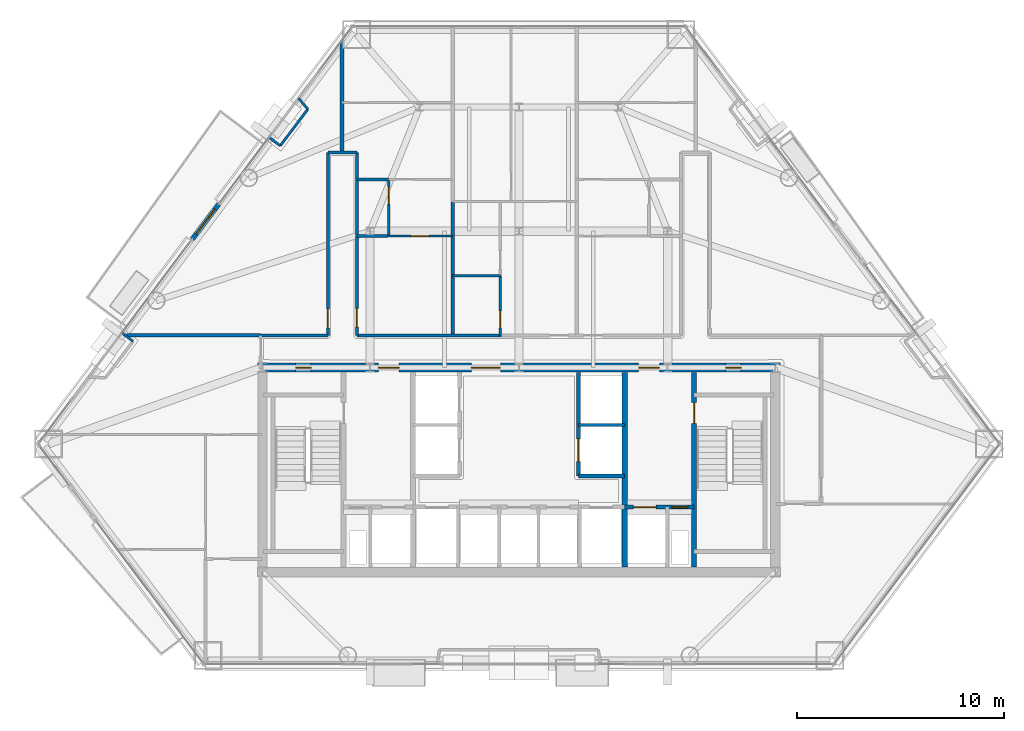
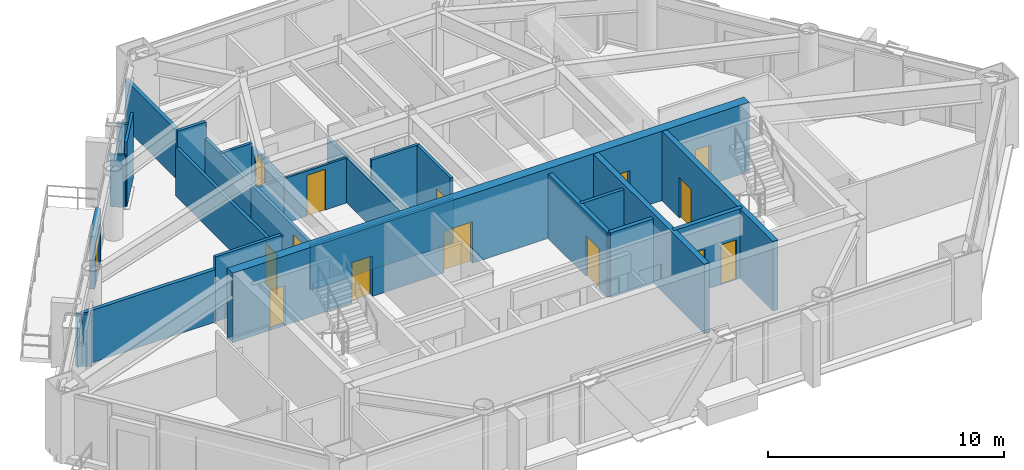
# One storey, part 7 of 11: 27 walls, 15 doors, 15 openings.
"""IFC4 building model written with IfcOpenShell, lengths in metres."""

from ifc_helpers import new_model, si_unit, direction, frame, frame_2d, origin, place, context, subcontext, project, spatial, rectangle, extrude, material, layer, layer_set, type_object, element, fill, save


model = new_model("IFC4")

# Units and contexts
model_context = context("Model", 3, precision=1e-05, world=origin(), true_north=direction((0.0, 1.0)))
body_context = subcontext(model_context, "Body", "Model", "MODEL_VIEW")
ifc_project = project(units=[si_unit("LENGTHUNIT", "METRE"), si_unit("AREAUNIT", "SQUARE_METRE"), si_unit("VOLUMEUNIT", "CUBIC_METRE"), si_unit("PLANEANGLEUNIT", "RADIAN"), si_unit("MASSUNIT", "GRAM", prefix="KILO")], contexts=[model_context])

# Site, building, storey
site_placement = place(None, origin())
site = spatial("IfcSite", under=ifc_project, at=site_placement, CompositionType="ELEMENT")
building_placement = place(site_placement, origin())
building = spatial("IfcBuilding", under=site, at=building_placement, Name="Talgorran Terracotta Tower", CompositionType="ELEMENT")
storey_placement = place(building_placement, frame((0.0, 0.0, 38.699951171875)))
storey = spatial("IfcBuildingStorey", under=building, at=storey_placement, Name="L09", CompositionType="ELEMENT", Elevation=38.699951171875)

# Wall, opening, door
ifc_material_1 = material(Name="Concrete C40/50", Category="concrete")
ifc_layer_1 = layer(ifc_material_1, 0.239990234375, Name="WT_BALCONY_SPAND")
ifc_layer_set_1 = layer_set([ifc_layer_1], Name="Concrete C40/50")
wall_type_1 = type_object("IfcWallType", Name="WT_BALCONY_SPAND", PredefinedType="STANDARD", material=ifc_layer_set_1)
wall_1_placement = place(storey_placement, frame((-14.518310546875, 3.71337890625, -0.014892578125), z_axis=(0.0, 0.0, 1.0), x_axis=(-0.601696267697, -0.79872498486, 0.0)))
wall_1 = element("IfcWall", 1, at=wall_1_placement, inside=storey, type_object=wall_type_1, Name="WL-L09-BALP-BAL-NW", PredefinedType="STANDARD", context=body_context, shape_type="SweptSolid", body=[
    extrude(rectangle(XDim=2.139892578125, YDim=0.239990234375, at=frame_2d((1.06982421875, 0.0))), origin(), (0.0, 0.0, 1.0), 2.728271484375),
])
opening_1_placement = place(wall_1_placement, frame((0.320068359375, 0.0, 0.014892578125)))
opening_1 = element("IfcOpeningElement", 2, at=opening_1_placement, cuts=wall_1, Name="Opening D-BAL-L09-2", PredefinedType="OPENING", context=body_context, shape_type="SweptSolid", body=[
    extrude(rectangle(XDim=1.506, YDim=2.203951171875, at=frame_2d((0.75, 1.10205078125))), frame((0.0, 0.1298828125, 0.0), z_axis=(0.0, -1.0, 0.0), x_axis=(1.0, 0.0, 0.0)), (0.0, 0.0, 1.0), 0.260009765625),
])
ifc_material_2 = material(Name="Thermally Broken Aluminium", Category="aluminium")
door_type_1 = type_object("IfcDoorType", Name="DT_BALC_1500", OperationType="SLIDING_TO_RIGHT", PredefinedType="DOOR", material=ifc_material_2)
door_1_placement = place(opening_1_placement, origin())
door_1 = element("IfcDoor", 3, at=door_1_placement, inside=storey, type_object=door_type_1, Name="DR-L09-BAL-BAL-NW", OperationType="SLIDING_TO_RIGHT", OverallHeight=2.199951171875, OverallWidth=1.5, PredefinedType="DOOR", context=body_context, shape_type="SweptSolid", body=[
    extrude(rectangle(XDim=1.5, YDim=2.199951171875, at=frame_2d((0.75, 1.10009765625))), frame((0.0, 0.02490234375, 0.0), z_axis=(0.0, -1.0, 0.0), x_axis=(1.0, 0.0, 0.0)), (0.0, 0.0, 1.0), 0.050048828125),
])
fill(opening_1, door_1)

# Wall, openings, doors
ifc_material_3 = material(Name="Concrete C50/60", Category="concrete")
ifc_layer_2 = layer(ifc_material_3, 0.199951171875, Name="WT_CORE_200")
ifc_layer_set_2 = layer_set([ifc_layer_2], Name="Concrete C50/60")
wall_type_2 = type_object("IfcWallType", Name="WT_CORE_200", PredefinedType="SOLIDWALL", material=ifc_layer_set_2)
wall_2_placement = place(storey_placement, frame((5.1201171875, -10.949951171875, 0.0), z_axis=(0.0, 0.0, 1.0), x_axis=(1.0, 0.0, 0.0)))
wall_2 = element("IfcWall", 4, at=wall_2_placement, inside=storey, type_object=wall_type_2, Name="WL-L09-CW-H-SBE", PredefinedType="SOLIDWALL", context=body_context, shape_type="SweptSolid", body=[
    extrude(rectangle(XDim=3.35986328125, YDim=0.199951171875, at=frame_2d((1.679931640625, 0.0))), origin(), (0.0, 0.0, 1.0), 3.60009765625),
])
opening_2_placement = place(wall_2_placement, frame((0.419921875, 0.0, 0.0)))
opening_2 = element("IfcOpeningElement", 5, at=opening_2_placement, cuts=wall_2, Name="Opening LD-FFL2", PredefinedType="OPENING", context=body_context, shape_type="SweptSolid", body=[
    extrude(rectangle(XDim=1.10609765625, YDim=2.10409765625, at=frame_2d((0.550048828125, 1.052001953125))), frame((0.0, 0.10986328125, 0.0), z_axis=(0.0, -1.0, 0.0), x_axis=(1.0, 0.0, 0.0)), (0.0, 0.0, 1.0), 0.219970703125),
])
opening_3_placement = place(wall_2_placement, frame((2.300048828125, 0.0, 0.0)))
opening_3 = element("IfcOpeningElement", 6, at=opening_3_placement, cuts=wall_2, Name="Opening DR-RSE", PredefinedType="OPENING", context=body_context, shape_type="SweptSolid", body=[
    extrude(rectangle(XDim=0.756, YDim=2.054048828125, at=frame_2d((0.375, 1.027099609375))), frame((0.0, 0.10986328125, 0.0), z_axis=(0.0, -1.0, 0.0), x_axis=(1.0, 0.0, 0.0)), (0.0, 0.0, 1.0), 0.219970703125),
])
ifc_material_4 = material(Name="Brushed Stainless Steel Grade 304", Category="steel")
door_type_2 = type_object("IfcDoorType", Name="DT_LIFT_LD1100", OperationType="DOUBLE_DOOR_SLIDING", PredefinedType="DOOR", material=ifc_material_4)
door_2_placement = place(opening_2_placement, origin())
door_2 = element("IfcDoor", 7, at=door_2_placement, inside=storey, type_object=door_type_2, Name="L09 Lift Landing Door LD-FFL2", OperationType="DOUBLE_DOOR_SLIDING", OverallHeight=2.10009765625, OverallWidth=1.10009765625, PredefinedType="DOOR", context=body_context, shape_type="SweptSolid", body=[
    extrude(rectangle(XDim=1.10009765625, YDim=2.10009765625, at=frame_2d((0.550048828125, 1.050048828125))), frame((0.0, 0.02490234375, 0.0), z_axis=(0.0, -1.0, 0.0), x_axis=(1.0, 0.0, 0.0)), (0.0, 0.0, 1.0), 0.050048828125),
])
fill(opening_2, door_2)
ifc_material_5 = material(Name="Fire-Rated Pressed Steel", Category="steel")
door_type_3 = type_object("IfcDoorType", Name="DT_RISER_750", OperationType="NOTDEFINED", PredefinedType="DOOR", material=ifc_material_5)
door_3_placement = place(opening_3_placement, origin())
door_3 = element("IfcDoor", 8, at=door_3_placement, inside=storey, type_object=door_type_3, Name="DR-RSE", OperationType="SINGLE_SWING_RIGHT", OverallHeight=2.050048828125, OverallWidth=0.75, PredefinedType="DOOR", context=body_context, shape_type="SweptSolid", body=[
    extrude(rectangle(XDim=0.75, YDim=2.050048828125, at=frame_2d((0.375, 1.02490234375))), frame((0.0, 0.02490234375, 0.0), z_axis=(0.0, -1.0, 0.0), x_axis=(1.0, 0.0, 0.0)), (0.0, 0.0, 1.0), 0.050048828125),
])
fill(opening_3, door_3)

# Wall, opening, door
wall_3_placement = place(storey_placement, frame((2.8798828125, -9.449951171875, 0.0), z_axis=(0.0, 0.0, 1.0), x_axis=(0.0, 1.0, 0.0)))
wall_3 = element("IfcWall", 9, at=wall_3_placement, inside=storey, type_object=wall_type_2, Name="WL-L09-CW-V-E3", PredefinedType="SOLIDWALL", context=body_context, shape_type="SweptSolid", body=[
    extrude(rectangle(XDim=5.0, YDim=0.199951171875, at=frame_2d((2.5, 0.0))), origin(), (0.0, 0.0, 1.0), 3.35009765625),
])
opening_4_placement = place(wall_3_placement, frame((0.699951171875, 0.0, 0.0)))
opening_4 = element("IfcOpeningElement", 10, at=opening_4_placement, cuts=wall_3, Name="Opening LD-PLM1", PredefinedType="OPENING", context=body_context, shape_type="SweptSolid", body=[
    extrude(rectangle(XDim=1.10609765625, YDim=2.10409765625, at=frame_2d((0.550048828125, 1.052001953125))), frame((0.0, 0.10986328125, 0.0), z_axis=(0.0, -1.0, 0.0), x_axis=(1.0, 0.0, 0.0)), (0.0, 0.0, 1.0), 0.219970703125),
])
door_4_placement = place(opening_4_placement, origin())
door_4 = element("IfcDoor", 11, at=door_4_placement, inside=storey, type_object=door_type_2, Name="L09 Lift Landing Door LD-PLM1", OperationType="DOUBLE_DOOR_SLIDING", OverallHeight=2.10009765625, OverallWidth=1.10009765625, PredefinedType="DOOR", context=body_context, shape_type="SweptSolid", body=[
    extrude(rectangle(XDim=1.10009765625, YDim=2.10009765625, at=frame_2d((0.550048828125, 1.050048828125))), frame((0.0, 0.02490234375, 0.0), z_axis=(0.0, -1.0, 0.0), x_axis=(1.0, 0.0, 0.0)), (0.0, 0.0, 1.0), 0.050048828125),
])
fill(opening_4, door_4)

# Wall
wall_4_placement = place(storey_placement, frame((2.8798828125, -9.449951171875, 0.0), z_axis=(0.0, 0.0, 1.0), x_axis=(1.0, 0.0, 0.0)))
element("IfcWall", 12, at=wall_4_placement, inside=storey, type_object=wall_type_2, Name="WL-L09-CW-H-E4", PredefinedType="SOLIDWALL", context=body_context, shape_type="SweptSolid", body=[
    extrude(rectangle(XDim=2.240234375, YDim=0.199951171875, at=frame_2d((1.1201171875, 0.0))), origin(), (0.0, 0.0, 1.0), 3.35009765625),
])

# Wall, opening, door
ifc_layer_3 = layer(ifc_material_3, 0.25, Name="WT_CORE_250")
ifc_layer_set_3 = layer_set([ifc_layer_3], Name="Concrete C50/60")
wall_type_3 = type_object("IfcWallType", Name="WT_CORE_250", PredefinedType="SHEAR", material=ifc_layer_set_3)
wall_5_placement = place(storey_placement, frame((8.47998046875, -13.85009765625, 0.0), z_axis=(0.0, 0.0, 1.0), x_axis=(0.0, 1.0, 0.0)))
wall_5 = element("IfcWall", 13, at=wall_5_placement, inside=storey, type_object=wall_type_3, Name="WL-L09-CW-V-E1", PredefinedType="SHEAR", context=body_context, shape_type="SweptSolid", body=[
    extrude(rectangle(XDim=9.400146484375, YDim=0.25, at=frame_2d((4.7001953125, 0.0))), origin(), (0.0, 0.0, 1.0), 3.60009765625),
])
opening_5_placement = place(wall_5_placement, frame((6.949951171875, 0.0, 0.0)))
opening_5 = element("IfcOpeningElement", 14, at=opening_5_placement, cuts=wall_5, Name="Opening DR-ST02", PredefinedType="OPENING", context=body_context, shape_type="SweptSolid", body=[
    extrude(rectangle(XDim=1.006, YDim=2.10409765625, at=frame_2d((0.5, 1.052001953125))), frame((0.0, 0.135009765625, 0.0), z_axis=(0.0, -1.0, 0.0), x_axis=(1.0, 0.0, 0.0)), (0.0, 0.0, 1.0), 0.27001953125),
])
door_type_4 = type_object("IfcDoorType", Name="DT_FIRE_1000", OperationType="NOTDEFINED", PredefinedType="DOOR", material=ifc_material_5)
door_5_placement = place(opening_5_placement, origin())
door_5 = element("IfcDoor", 15, at=door_5_placement, inside=storey, type_object=door_type_4, Name="DR-ST02", OperationType="SINGLE_SWING_RIGHT", OverallHeight=2.10009765625, OverallWidth=1.0, PredefinedType="DOOR", context=body_context, shape_type="SweptSolid", body=[
    extrude(rectangle(XDim=1.0, YDim=2.10009765625, at=frame_2d((0.5, 1.050048828125))), frame((0.0, 0.02490234375, 0.0), z_axis=(0.0, -1.0, 0.0), x_axis=(1.0, 0.0, 0.0)), (0.0, 0.0, 1.0), 0.050048828125),
])
fill(opening_5, door_5)

# Wall
wall_6_placement = place(storey_placement, frame((5.1201171875, -13.85009765625, 0.0), z_axis=(0.0, 0.0, 1.0), x_axis=(0.0, 1.0, 0.0)))
element("IfcWall", 16, at=wall_6_placement, inside=storey, type_object=wall_type_3, Name="WL-L09-CW-V-E2", PredefinedType="SHEAR", context=body_context, shape_type="SweptSolid", body=[
    extrude(rectangle(XDim=9.400146484375, YDim=0.25, at=frame_2d((4.7001953125, 0.0))), origin(), (0.0, 0.0, 1.0), 3.60009765625),
])

# Wall, openings, doors
ifc_material_6 = material(Name="Concrete C65/80", Category="concrete")
ifc_layer_4 = layer(ifc_material_6, 0.449951171875, Name="WT_CORE_EXT")
ifc_layer_set_4 = layer_set([ifc_layer_4], Name="Concrete C65/80")
wall_type_4 = type_object("IfcWallType", Name="WT_CORE_EXT", PredefinedType="SHEAR", material=ifc_layer_set_4)
wall_7_placement = place(storey_placement, frame((-12.64990234375, -4.199951171875, 0.0), z_axis=(0.0, 0.0, 1.0), x_axis=(1.0, 0.0, 0.0)))
wall_7 = element("IfcWall", 17, at=wall_7_placement, inside=storey, type_object=wall_type_4, Name="WL-L09-CW-OUT-N", PredefinedType="SHEAR", context=body_context, shape_type="SweptSolid", body=[
    extrude(rectangle(XDim=25.2998046875, YDim=0.449951171875, at=frame_2d((12.64990234375, 0.0))), origin(), (0.0, 0.0, 1.0), 3.60009765625),
])
opening_6_placement = place(wall_7_placement, frame((1.85009765625, 0.0, 0.0)))
opening_6 = element("IfcOpeningElement", 18, at=opening_6_placement, cuts=wall_7, Name="Opening DR-CSN1", PredefinedType="OPENING", context=body_context, shape_type="SweptSolid", body=[
    extrude(rectangle(XDim=0.756, YDim=2.054048828125, at=frame_2d((0.375, 1.027099609375))), frame((0.0, 0.23486328125, 0.0), z_axis=(0.0, -1.0, 0.0), x_axis=(1.0, 0.0, 0.0)), (0.0, 0.0, 1.0), 0.469970703125),
])
opening_7_placement = place(wall_7_placement, frame((22.64990234375, 0.0, 0.0)))
opening_7 = element("IfcOpeningElement", 19, at=opening_7_placement, cuts=wall_7, Name="Opening DR-CSN2", PredefinedType="OPENING", context=body_context, shape_type="SweptSolid", body=[
    extrude(rectangle(XDim=0.756, YDim=2.054048828125, at=frame_2d((0.375, 1.027099609375))), frame((0.0, 0.23486328125, 0.0), z_axis=(0.0, -1.0, 0.0), x_axis=(1.0, 0.0, 0.0)), (0.0, 0.0, 1.0), 0.469970703125),
])
opening_8_placement = place(wall_7_placement, frame((5.85009765625, 0.0, 0.0)))
opening_8 = element("IfcOpeningElement", 20, at=opening_8_placement, cuts=wall_7, Name="Opening DR-FFLW-N", PredefinedType="OPENING", context=body_context, shape_type="SweptSolid", body=[
    extrude(rectangle(XDim=1.006, YDim=2.10409765625, at=frame_2d((0.5, 1.052001953125))), frame((0.0, 0.23486328125, 0.0), z_axis=(0.0, -1.0, 0.0), x_axis=(1.0, 0.0, 0.0)), (0.0, 0.0, 1.0), 0.469970703125),
])
opening_9_placement = place(wall_7_placement, frame((10.35009765625, 0.0, 0.0)))
opening_9 = element("IfcOpeningElement", 21, at=opening_9_placement, cuts=wall_7, Name="Opening DR-PLL-N", PredefinedType="OPENING", context=body_context, shape_type="SweptSolid", body=[
    extrude(rectangle(XDim=1.40590234375, YDim=2.15390234375, at=frame_2d((0.699951171875, 1.076904296875))), frame((0.0, 0.23486328125, 0.0), z_axis=(0.0, -1.0, 0.0), x_axis=(1.0, 0.0, 0.0)), (0.0, 0.0, 1.0), 0.469970703125),
])
opening_10_placement = place(wall_7_placement, frame((18.449951171875, 0.0, 0.0)))
opening_10 = element("IfcOpeningElement", 22, at=opening_10_placement, cuts=wall_7, Name="Opening DR-FFLE-N", PredefinedType="OPENING", context=body_context, shape_type="SweptSolid", body=[
    extrude(rectangle(XDim=1.006, YDim=2.10409765625, at=frame_2d((0.5, 1.052001953125))), frame((0.0, 0.23486328125, 0.0), z_axis=(0.0, -1.0, 0.0), x_axis=(1.0, 0.0, 0.0)), (0.0, 0.0, 1.0), 0.469970703125),
])
ifc_material_7 = material(Name="Acoustic Glazed Timber", Category="wood")
door_type_5 = type_object("IfcDoorType", Name="DT_DOUBLE_1400", OperationType="DOUBLE_DOOR_SINGLE_SWING", PredefinedType="DOOR", material=ifc_material_7)
door_6_placement = place(opening_9_placement, origin())
door_6 = element("IfcDoor", 23, at=door_6_placement, inside=storey, type_object=door_type_5, Name="DR-PLL-N", OperationType="DOUBLE_DOOR_SINGLE_SWING", OverallHeight=2.14990234375, OverallWidth=1.39990234375, PredefinedType="DOOR", context=body_context, shape_type="SweptSolid", body=[
    extrude(rectangle(XDim=1.39990234375, YDim=2.14990234375, at=frame_2d((0.699951171875, 1.074951171875))), frame((0.0, 0.02490234375, 0.0), z_axis=(0.0, -1.0, 0.0), x_axis=(1.0, 0.0, 0.0)), (0.0, 0.0, 1.0), 0.050048828125),
])
fill(opening_9, door_6)
door_7_placement = place(opening_8_placement, origin())
door_7 = element("IfcDoor", 24, at=door_7_placement, inside=storey, type_object=door_type_4, Name="DR-FFLW-N", OperationType="SINGLE_SWING_LEFT", OverallHeight=2.10009765625, OverallWidth=1.0, PredefinedType="DOOR", context=body_context, shape_type="SweptSolid", body=[
    extrude(rectangle(XDim=1.0, YDim=2.10009765625, at=frame_2d((0.5, 1.050048828125))), frame((0.0, 0.02490234375, 0.0), z_axis=(0.0, -1.0, 0.0), x_axis=(1.0, 0.0, 0.0)), (0.0, 0.0, 1.0), 0.050048828125),
])
fill(opening_8, door_7)
door_8_placement = place(opening_10_placement, origin())
door_8 = element("IfcDoor", 25, at=door_8_placement, inside=storey, type_object=door_type_4, Name="DR-FFLE-N", OperationType="SINGLE_SWING_RIGHT", OverallHeight=2.10009765625, OverallWidth=1.0, PredefinedType="DOOR", context=body_context, shape_type="SweptSolid", body=[
    extrude(rectangle(XDim=1.0, YDim=2.10009765625, at=frame_2d((0.5, 1.050048828125))), frame((0.0, 0.02490234375, 0.0), z_axis=(0.0, -1.0, 0.0), x_axis=(1.0, 0.0, 0.0)), (0.0, 0.0, 1.0), 0.050048828125),
])
fill(opening_10, door_8)
door_9_placement = place(opening_6_placement, origin())
door_9 = element("IfcDoor", 26, at=door_9_placement, inside=storey, type_object=door_type_3, Name="DR-CSN1", OperationType="SINGLE_SWING_LEFT", OverallHeight=2.050048828125, OverallWidth=0.75, PredefinedType="DOOR", context=body_context, shape_type="SweptSolid", body=[
    extrude(rectangle(XDim=0.75, YDim=2.050048828125, at=frame_2d((0.375, 1.02490234375))), frame((0.0, 0.02490234375, 0.0), z_axis=(0.0, -1.0, 0.0), x_axis=(1.0, 0.0, 0.0)), (0.0, 0.0, 1.0), 0.050048828125),
])
fill(opening_6, door_9)
door_10_placement = place(opening_7_placement, origin())
door_10 = element("IfcDoor", 27, at=door_10_placement, inside=storey, type_object=door_type_3, Name="DR-CSN2", OperationType="SINGLE_SWING_RIGHT", OverallHeight=2.050048828125, OverallWidth=0.75, PredefinedType="DOOR", context=body_context, shape_type="SweptSolid", body=[
    extrude(rectangle(XDim=0.75, YDim=2.050048828125, at=frame_2d((0.375, 1.02490234375))), frame((0.0, 0.02490234375, 0.0), z_axis=(0.0, -1.0, 0.0), x_axis=(1.0, 0.0, 0.0)), (0.0, 0.0, 1.0), 0.050048828125),
])
fill(opening_7, door_10)

# Wall, opening, door
ifc_material_8 = material(Name="Fire-Rated Steel Stud Plasterboard", Category="steel")
ifc_layer_5 = layer(ifc_material_8, 0.14990234375, Name="WT_FIRE_150")
ifc_layer_set_5 = layer_set([ifc_layer_5], Name="Fire-Rated Steel Stud Plasterboard")
wall_type_5 = type_object("IfcWallType", Name="WT_FIRE_150", PredefinedType="PARTITIONING", material=ifc_layer_set_5)
wall_8_placement = place(storey_placement, frame((-9.239990234375, -2.639892578125, 0.0), z_axis=(0.0, 0.0, 1.0), x_axis=(0.0, 1.0, 0.0)))
wall_8 = element("IfcWall", 28, at=wall_8_placement, inside=storey, type_object=wall_type_5, Name="WL-L09-W-L09-R06", PredefinedType="PARTITIONING", context=body_context, shape_type="SweptSolid", body=[
    extrude(rectangle(XDim=8.83984375, YDim=0.14990234375, at=frame_2d((4.419921875, 0.0))), origin(), (0.0, 0.0, 1.0), 2.509033203125),
])
opening_11_placement = place(wall_8_placement, frame((0.359375, 0.0, 0.0)))
opening_11 = element("IfcOpeningElement", 29, at=opening_11_placement, cuts=wall_8, Name="Opening DR-L09-R06", PredefinedType="OPENING", context=body_context, shape_type="SweptSolid", body=[
    extrude(rectangle(XDim=0.90590234375, YDim=2.10409765625, at=frame_2d((0.449951171875, 1.052001953125))), frame((0.0, 0.0849609375, 0.0), z_axis=(0.0, -1.0, 0.0), x_axis=(1.0, 0.0, 0.0)), (0.0, 0.0, 1.0), 0.169921875),
])
ifc_material_9 = material(Name="Fire-Rated Timber Core", Category="wood")
door_type_6 = type_object("IfcDoorType", Name="DT_FIRE_900", OperationType="NOTDEFINED", PredefinedType="DOOR", material=ifc_material_9)
door_11_placement = place(opening_11_placement, origin())
door_11 = element("IfcDoor", 30, at=door_11_placement, inside=storey, type_object=door_type_6, Name="DR-L09-R06", OperationType="SINGLE_SWING_RIGHT", OverallHeight=2.10009765625, OverallWidth=0.89990234375, PredefinedType="DOOR", context=body_context, shape_type="SweptSolid", body=[
    extrude(rectangle(XDim=0.89990234375, YDim=2.10009765625, at=frame_2d((0.449951171875, 1.050048828125))), frame((0.0, 0.02490234375, 0.0), z_axis=(0.0, -1.0, 0.0), x_axis=(1.0, 0.0, 0.0)), (0.0, 0.0, 1.0), 0.050048828125),
])
fill(opening_11, door_11)

wall_9_placement = place(storey_placement, frame((-7.840087890625, -2.639892578125, 0.0), z_axis=(0.0, 0.0, 1.0), x_axis=(0.0, 1.0, 0.0)))
wall_9 = element("IfcWall", 31, at=wall_9_placement, inside=storey, type_object=wall_type_5, Name="WL-L09-W-L09-R08", PredefinedType="PARTITIONING", context=body_context, shape_type="SweptSolid", body=[
    extrude(rectangle(XDim=4.83984375, YDim=0.14990234375, at=frame_2d((2.419921875, 0.0))), origin(), (0.0, 0.0, 1.0), 2.509033203125),
])
opening_12_placement = place(wall_9_placement, frame((0.3984375, 0.0, 0.0)))
opening_12 = element("IfcOpeningElement", 32, at=opening_12_placement, cuts=wall_9, Name="Opening DR-L09-R07", PredefinedType="OPENING", context=body_context, shape_type="SweptSolid", body=[
    extrude(rectangle(XDim=0.90590234375, YDim=2.10409765625, at=frame_2d((0.449951171875, 1.052001953125))), frame((0.0, 0.0849609375, 0.0), z_axis=(0.0, -1.0, 0.0), x_axis=(1.0, 0.0, 0.0)), (0.0, 0.0, 1.0), 0.169921875),
])
door_12_placement = place(opening_12_placement, origin())
door_12 = element("IfcDoor", 33, at=door_12_placement, inside=storey, type_object=door_type_6, Name="DR-L09-R07", OperationType="SINGLE_SWING_LEFT", OverallHeight=2.10009765625, OverallWidth=0.89990234375, PredefinedType="DOOR", context=body_context, shape_type="SweptSolid", body=[
    extrude(rectangle(XDim=0.89990234375, YDim=2.10009765625, at=frame_2d((0.449951171875, 1.050048828125))), frame((0.0, 0.02490234375, 0.0), z_axis=(0.0, -1.0, 0.0), x_axis=(1.0, 0.0, 0.0)), (0.0, 0.0, 1.0), 0.050048828125),
])
fill(opening_12, door_12)

# Walls
wall_10_placement = place(storey_placement, frame((-7.840087890625, -2.639892578125, 0.0), z_axis=(0.0, 0.0, 1.0), x_axis=(1.0, 0.0, 0.0)))
element("IfcWall", 34, at=wall_10_placement, inside=storey, type_object=wall_type_5, Name="WL-L09-W-L09-R09", PredefinedType="PARTITIONING", context=body_context, shape_type="SweptSolid", body=[
    extrude(rectangle(XDim=7.0, YDim=0.14990234375, at=frame_2d((3.5, 0.0))), origin(), (0.0, 0.0, 1.0), 2.324951171875),
])
wall_11_placement = place(storey_placement, frame((-12.5, -2.639892578125, 0.0), z_axis=(0.0, 0.0, 1.0), x_axis=(1.0, 0.0, 0.0)))
element("IfcWall", 35, at=wall_11_placement, inside=storey, type_object=wall_type_5, Name="WL-L09-W-L09-R05", PredefinedType="PARTITIONING", context=body_context, shape_type="SweptSolid", body=[
    extrude(rectangle(XDim=3.260009765625, YDim=0.14990234375, at=frame_2d((1.6298828125, 0.0))), origin(), (0.0, 0.0, 1.0), 3.35009765625),
])
wall_12_placement = place(storey_placement, frame((-7.840087890625, 2.201904296875, 0.0), z_axis=(0.0, 0.0, 1.0), x_axis=(0.0, 1.0, 0.0)))
element("IfcWall", 36, at=wall_12_placement, inside=storey, type_object=wall_type_5, Name="WL-L09-W-L09-R10", PredefinedType="PARTITIONING", context=body_context, shape_type="SweptSolid", body=[
    extrude(rectangle(XDim=3.998046875, YDim=0.14990234375, at=frame_2d((1.9990234375, 0.0))), origin(), (0.0, 0.0, 1.0), 2.509033203125),
])
wall_13_placement = place(storey_placement, frame((-9.239990234375, 6.199951171875, 0.0), z_axis=(0.0, 0.0, 1.0), x_axis=(1.0, 0.0, 0.0)))
element("IfcWall", 37, at=wall_13_placement, inside=storey, type_object=wall_type_5, Name="WL-L09-W-L09-R11", PredefinedType="PARTITIONING", context=body_context, shape_type="SweptSolid", body=[
    extrude(rectangle(XDim=1.39990234375, YDim=0.14990234375, at=frame_2d((0.699951171875, 0.0))), origin(), (0.0, 0.0, 1.0), 3.35009765625),
])
ifc_material_10 = material(Name="Acoustic Stud and Plasterboard")
ifc_layer_6 = layer(ifc_material_10, 0.179931640625, Name="WT_PARTY_200")
ifc_layer_set_6 = layer_set([ifc_layer_6], Name="Acoustic Stud and Plasterboard")
wall_type_6 = type_object("IfcWallType", Name="WT_PARTY_200", PredefinedType="PARTITIONING", material=ifc_layer_set_6)
wall_14_placement = place(storey_placement, frame((-19.260009765625, -2.639892578125, 0.0), z_axis=(0.0, 0.0, 1.0), x_axis=(1.0, 0.0, 0.0)))
element("IfcWall", 38, at=wall_14_placement, inside=storey, type_object=wall_type_6, Name="WL-L09-W-L09-R25", PredefinedType="PARTITIONING", context=body_context, shape_type="SweptSolid", body=[
    extrude(rectangle(XDim=6.760009765625, YDim=0.179931640625, at=frame_2d((3.3798828125, 0.0))), origin(), (0.0, 0.0, 1.0), 2.71337890625),
])
wall_15_placement = place(storey_placement, frame((-8.56005859375, 6.199951171875, 0.0), z_axis=(0.0, 0.0, 1.0), x_axis=(0.0, 1.0, 0.0)))
element("IfcWall", 39, at=wall_15_placement, inside=storey, type_object=wall_type_6, Name="WL-L09-W-L09-R34", PredefinedType="PARTITIONING", context=body_context, shape_type="SweptSolid", body=[
    extrude(rectangle(XDim=5.424560546875, YDim=0.179931640625, at=frame_2d((2.71240234375, 0.0))), origin(), (0.0, 0.0, 1.0), 2.509033203125),
])
wall_16_placement = place(storey_placement, frame((-3.199951171875, -2.639892578125, 0.0), z_axis=(0.0, 0.0, 1.0), x_axis=(0.0, 1.0, 0.0)))
element("IfcWall", 40, at=wall_16_placement, inside=storey, type_object=wall_type_6, Name="WL-L09-W-L09-R37", PredefinedType="PARTITIONING", context=body_context, shape_type="SweptSolid", body=[
    extrude(rectangle(XDim=6.43798828125, YDim=0.179931640625, at=frame_2d((3.218994140625, 0.0))), origin(), (0.0, 0.0, 1.0), 2.324951171875),
])

# Wall, opening, door
ifc_material_11 = material(Name="Lightweight Steel Stud Partition", Category="steel")
ifc_layer_7 = layer(ifc_material_11, 0.10498046875, Name="WT_PART_110")
ifc_layer_set_7 = layer_set([ifc_layer_7], Name="Lightweight Steel Stud Partition")
wall_type_7 = type_object("IfcWallType", Name="WT_PART_110", PredefinedType="PARTITIONING", material=ifc_layer_set_7)
wall_17_placement = place(storey_placement, frame((-6.360107421875, 2.159912109375, 0.0), z_axis=(0.0, 0.0, 1.0), x_axis=(1.0, 0.0, 0.0)))
wall_17 = element("IfcWall", 41, at=wall_17_placement, inside=storey, type_object=wall_type_7, Name="WL-L09-W-L09-R36", PredefinedType="PARTITIONING", context=body_context, shape_type="SweptSolid", body=[
    extrude(rectangle(XDim=3.16015625, YDim=0.10498046875, at=frame_2d((1.580078125, 0.0))), origin(), (0.0, 0.0, 1.0), 2.324951171875),
])
opening_13_placement = place(wall_17_placement, frame((1.139892578125, 0.0, 0.0)))
opening_13 = element("IfcOpeningElement", 42, at=opening_13_placement, cuts=wall_17, Name="Opening DR-L09-R09", PredefinedType="OPENING", context=body_context, shape_type="SweptSolid", body=[
    extrude(rectangle(XDim=0.8858828125, YDim=2.10409765625, at=frame_2d((0.43994140625, 1.052001953125))), frame((0.0, 0.0625, 0.0), z_axis=(0.0, -1.0, 0.0), x_axis=(1.0, 0.0, 0.0)), (0.0, 0.0, 1.0), 0.125),
])
ifc_material_12 = material(Name="Solid-Core Painted Timber", Category="wood")
door_type_7 = type_object("IfcDoorType", Name="DT_INT_880", OperationType="NOTDEFINED", PredefinedType="DOOR", material=ifc_material_12)
door_13_placement = place(opening_13_placement, origin())
door_13 = element("IfcDoor", 43, at=door_13_placement, inside=storey, type_object=door_type_7, Name="DR-L09-R09", OperationType="SINGLE_SWING_LEFT", OverallHeight=2.10009765625, OverallWidth=0.8798828125, PredefinedType="DOOR", context=body_context, shape_type="SweptSolid", body=[
    extrude(rectangle(XDim=0.8798828125, YDim=2.10009765625, at=frame_2d((0.43994140625, 1.050048828125))), frame((0.0, 0.02490234375, 0.0), z_axis=(0.0, -1.0, 0.0), x_axis=(1.0, 0.0, 0.0)), (0.0, 0.0, 1.0), 0.050048828125),
])
fill(opening_13, door_13)

# Walls
ifc_material_13 = material(Name="Insulated Steel Stud Plasterboard", Category="steel")
ifc_layer_8 = layer(ifc_material_13, 0.1201171875, Name="WT_PART_120")
ifc_layer_set_8 = layer_set([ifc_layer_8], Name="Insulated Steel Stud Plasterboard")
wall_type_8 = type_object("IfcWallType", Name="WT_PART_120", PredefinedType="PARTITIONING", material=ifc_layer_set_8)
wall_18_placement = place(storey_placement, frame((-10.212646484375, 8.2998046875, 0.0), z_axis=(0.0, 0.0, 1.0), x_axis=(-0.60167490335, -0.798741078622, 0.0)))
element("IfcWall", 44, at=wall_18_placement, inside=storey, type_object=wall_type_8, Name="WL-L09-BW-L09-11", PredefinedType="PARTITIONING", context=body_context, shape_type="SweptSolid", body=[
    extrude(rectangle(XDim=2.2138671875, YDim=0.1201171875, at=frame_2d((1.10693359375, 0.0))), origin(), (0.0, 0.0, 1.0), 3.35009765625),
])
wall_19_placement = place(storey_placement, frame((-10.655029296875, 8.826171875, 0.0), z_axis=(0.0, 0.0, 1.0), x_axis=(0.643391917875, -0.765536961886, 0.0)))
element("IfcWall", 45, at=wall_19_placement, inside=storey, type_object=wall_type_8, Name="WL-L09-BW-L09-10", PredefinedType="PARTITIONING", context=body_context, shape_type="SweptSolid", body=[
    extrude(rectangle(XDim=0.6875, YDim=0.1201171875, at=frame_2d((0.34375, 0.0))), origin(), (0.0, 0.0, 1.0), 2.71337890625),
])
wall_20_placement = place(storey_placement, frame((-19.20458984375, -2.525146484375, 0.0), z_axis=(0.0, 0.0, 1.0), x_axis=(0.798598820081, -0.601863709294, 0.0)))
element("IfcWall", 46, at=wall_20_placement, inside=storey, type_object=wall_type_8, Name="WL-L09-BW-L09-04", PredefinedType="PARTITIONING", context=body_context, shape_type="SweptSolid", body=[
    extrude(rectangle(XDim=0.670166015625, YDim=0.1201171875, at=frame_2d((0.3349609375, 0.0))), origin(), (0.0, 0.0, 1.0), 2.71337890625),
])
wall_21_placement = place(storey_placement, frame((-11.544677734375, 6.531494140625, 0.0), z_axis=(0.0, 0.0, 1.0), x_axis=(-0.798773936271, 0.601631281379, 0.0)))
element("IfcWall", 47, at=wall_21_placement, inside=storey, type_object=wall_type_8, Name="WL-L09-BW-L09-12", PredefinedType="PARTITIONING", context=body_context, shape_type="SweptSolid", body=[
    extrude(rectangle(XDim=0.669921875, YDim=0.1201171875, at=frame_2d((0.3349609375, 0.0))), origin(), (0.0, 0.0, 1.0), 2.71337890625),
])

# Wall, opening, door
ifc_material_14 = material(Name="Moisture-Resistant Stud Wall")
ifc_layer_9 = layer(ifc_material_14, 0.135009765625, Name="WT_PART_135")
ifc_layer_set_9 = layer_set([ifc_layer_9], Name="Moisture-Resistant Stud Wall")
wall_type_9 = type_object("IfcWallType", Name="WT_PART_135", PredefinedType="PARTITIONING", material=ifc_layer_set_9)
wall_22_placement = place(storey_placement, frame((-0.89990234375, -2.639892578125, 0.0), z_axis=(0.0, 0.0, 1.0), x_axis=(0.0, 1.0, 0.0)))
wall_22 = element("IfcWall", 48, at=wall_22_placement, inside=storey, type_object=wall_type_9, Name="WL-L09-W-L09-R48", PredefinedType="PARTITIONING", context=body_context, shape_type="SweptSolid", body=[
    extrude(rectangle(XDim=2.8798828125, YDim=0.135009765625, at=frame_2d((1.43994140625, 0.0))), origin(), (0.0, 0.0, 1.0), 3.35009765625),
])
opening_14_placement = place(wall_22_placement, frame((0.357421875, 0.0, 0.0)))
opening_14 = element("IfcOpeningElement", 49, at=opening_14_placement, cuts=wall_22, Name="Opening DR-L09-R12", PredefinedType="OPENING", context=body_context, shape_type="SweptSolid", body=[
    extrude(rectangle(XDim=0.826068359375, YDim=2.10409765625, at=frame_2d((0.41015625, 1.052001953125))), frame((0.0, 0.07763671875, 0.0), z_axis=(0.0, -1.0, 0.0), x_axis=(1.0, 0.0, 0.0)), (0.0, 0.0, 1.0), 0.155029296875),
])
ifc_material_15 = material(Name="Moisture-Resistant Solid Timber", Category="wood")
door_type_8 = type_object("IfcDoorType", Name="DT_INT_820", OperationType="NOTDEFINED", PredefinedType="DOOR", material=ifc_material_15)
door_14_placement = place(opening_14_placement, origin())
door_14 = element("IfcDoor", 50, at=door_14_placement, inside=storey, type_object=door_type_8, Name="DR-L09-R12", OperationType="SINGLE_SWING_RIGHT", OverallHeight=2.10009765625, OverallWidth=0.820068359375, PredefinedType="DOOR", context=body_context, shape_type="SweptSolid", body=[
    extrude(rectangle(XDim=0.820068359375, YDim=2.10009765625, at=frame_2d((0.41015625, 1.050048828125))), frame((0.0, 0.02490234375, 0.0), z_axis=(0.0, -1.0, 0.0), x_axis=(1.0, 0.0, 0.0)), (0.0, 0.0, 1.0), 0.050048828125),
])
fill(opening_14, door_14)

wall_23_placement = place(storey_placement, frame((-6.300048828125, 2.159912109375, 0.0), z_axis=(0.0, 0.0, 1.0), x_axis=(0.0, 1.0, 0.0)))
wall_23 = element("IfcWall", 51, at=wall_23_placement, inside=storey, type_object=wall_type_9, Name="WL-L09-W-L09-R39", PredefinedType="PARTITIONING", context=body_context, shape_type="SweptSolid", body=[
    extrude(rectangle(XDim=2.739990234375, YDim=0.135009765625, at=frame_2d((1.3701171875, 0.0))), origin(), (0.0, 0.0, 1.0), 2.324951171875),
])
opening_15_placement = place(wall_23_placement, frame((1.565673828125, 0.0, 0.0)))
opening_15 = element("IfcOpeningElement", 52, at=opening_15_placement, cuts=wall_23, Name="Opening DR-L09-R08", PredefinedType="OPENING", context=body_context, shape_type="SweptSolid", body=[
    extrude(rectangle(XDim=0.826068359375, YDim=2.10409765625, at=frame_2d((0.41015625, 1.052001953125))), frame((0.0, 0.07763671875, 0.0), z_axis=(0.0, -1.0, 0.0), x_axis=(1.0, 0.0, 0.0)), (0.0, 0.0, 1.0), 0.155029296875),
])
door_15_placement = place(opening_15_placement, origin())
door_15 = element("IfcDoor", 53, at=door_15_placement, inside=storey, type_object=door_type_8, Name="DR-L09-R08", OperationType="SINGLE_SWING_RIGHT", OverallHeight=2.10009765625, OverallWidth=0.820068359375, PredefinedType="DOOR", context=body_context, shape_type="SweptSolid", body=[
    extrude(rectangle(XDim=0.820068359375, YDim=2.10009765625, at=frame_2d((0.41015625, 1.050048828125))), frame((0.0, 0.02490234375, 0.0), z_axis=(0.0, -1.0, 0.0), x_axis=(1.0, 0.0, 0.0)), (0.0, 0.0, 1.0), 0.050048828125),
])
fill(opening_15, door_15)

# Walls
wall_24_placement = place(storey_placement, frame((-3.199951171875, 0.239990234375, 0.0), z_axis=(0.0, 0.0, 1.0), x_axis=(1.0, 0.0, 0.0)))
element("IfcWall", 54, at=wall_24_placement, inside=storey, type_object=wall_type_9, Name="WL-L09-W-L09-R47", PredefinedType="PARTITIONING", context=body_context, shape_type="SweptSolid", body=[
    extrude(rectangle(XDim=2.300048828125, YDim=0.135009765625, at=frame_2d((1.14990234375, 0.0))), origin(), (0.0, 0.0, 1.0), 3.35009765625),
])
wall_25_placement = place(storey_placement, frame((-7.840087890625, 2.159912109375, 0.0), z_axis=(0.0, 0.0, 1.0), x_axis=(1.0, 0.0, 0.0)))
element("IfcWall", 55, at=wall_25_placement, inside=storey, type_object=wall_type_9, Name="WL-L09-W-L09-R35", PredefinedType="PARTITIONING", context=body_context, shape_type="SweptSolid", body=[
    extrude(rectangle(XDim=1.47802734375, YDim=0.135009765625, at=frame_2d((0.739013671875, 0.0))), origin(), (0.0, 0.0, 1.0), 2.324951171875),
])
wall_26_placement = place(storey_placement, frame((-7.840087890625, 4.89990234375, 0.0), z_axis=(0.0, 0.0, 1.0), x_axis=(1.0, 0.0, 0.0)))
element("IfcWall", 56, at=wall_26_placement, inside=storey, type_object=wall_type_9, Name="WL-L09-W-L09-R40", PredefinedType="PARTITIONING", context=body_context, shape_type="SweptSolid", body=[
    extrude(rectangle(XDim=1.5400390625, YDim=0.135009765625, at=frame_2d((0.77001953125, 0.0))), origin(), (0.0, 0.0, 1.0), 2.509033203125),
])
ifc_material_16 = material(Name="Fire-Rated Shaftwall")
ifc_layer_10 = layer(ifc_material_16, 0.159912109375, Name="WT_PART_150")
ifc_layer_set_10 = layer_set([ifc_layer_10], Name="Fire-Rated Shaftwall")
wall_type_10 = type_object("IfcWallType", Name="WT_PART_150", PredefinedType="PARTITIONING", material=ifc_layer_set_10)
wall_27_placement = place(storey_placement, frame((2.8798828125, -6.97998046875, 0.0), z_axis=(0.0, 0.0, 1.0), x_axis=(1.0, 0.0, 0.0)))
element("IfcWall", 57, at=wall_27_placement, inside=storey, type_object=wall_type_10, Name="WL-L09-CW-PLM-DIV", PredefinedType="PARTITIONING", context=body_context, shape_type="SweptSolid", body=[
    extrude(rectangle(XDim=2.240234375, YDim=0.159912109375, at=frame_2d((1.1201171875, 0.0))), origin(), (0.0, 0.0, 1.0), 3.35009765625),
])

save(model, "model.ifc")
